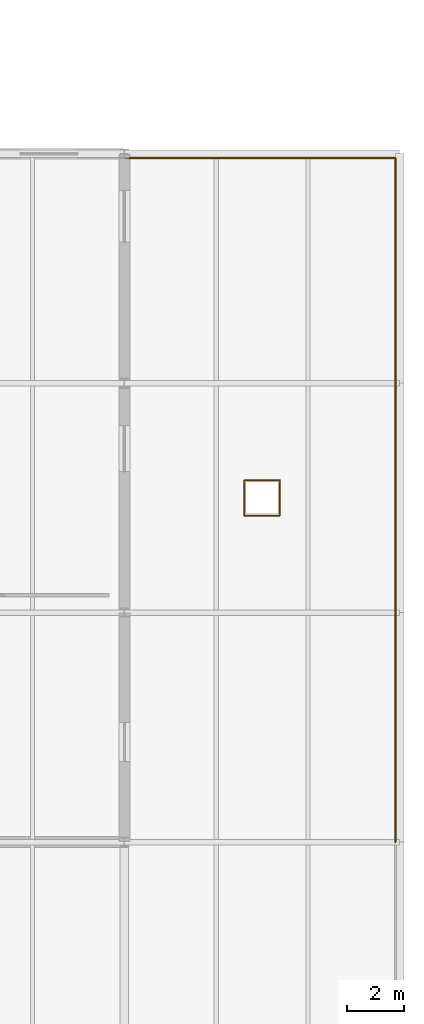
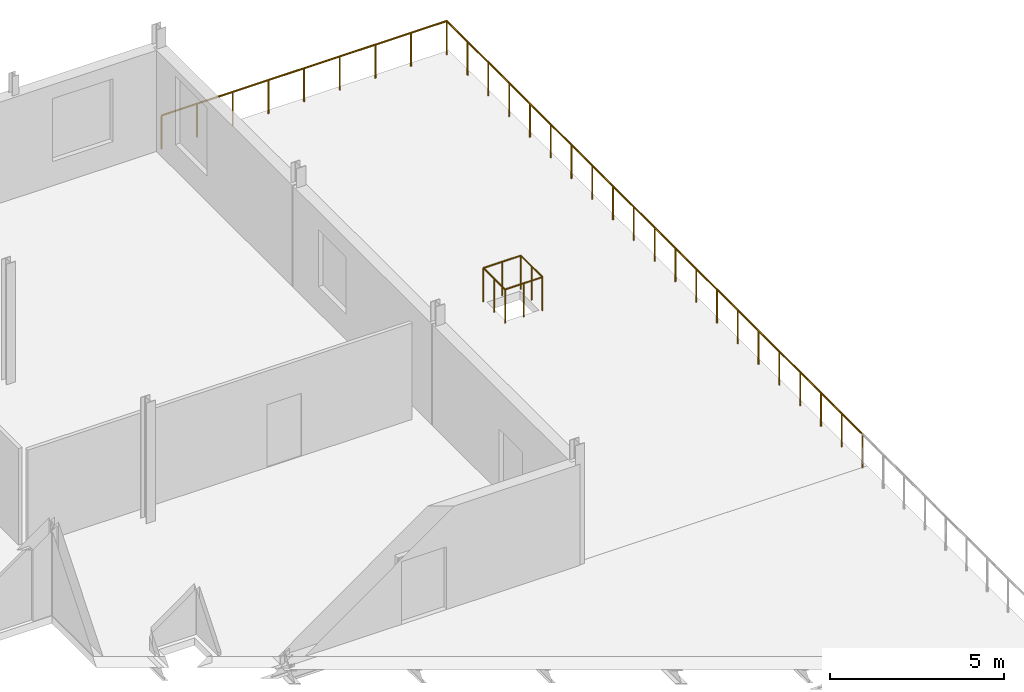
# One storey, part 73 of 73: 3 railings.
"""IFC4 building model written with IfcOpenShell, lengths in metres."""

from ifc_helpers import new_model, si_unit, direction, frame, origin, origin_2d, place, context, subcontext, project, spatial, circle, extrude, material, type_object, element, save


model = new_model("IFC4")

# Units and contexts
model_context = context("Model", 3, precision=1e-05, world=origin(), true_north=direction((0.0, 1.0)))
body_context = subcontext(model_context, "Body", "Model", "MODEL_VIEW")
ifc_project = project(units=[si_unit("LENGTHUNIT", "METRE"), si_unit("AREAUNIT", "SQUARE_METRE"), si_unit("VOLUMEUNIT", "CUBIC_METRE"), si_unit("PLANEANGLEUNIT", "RADIAN"), si_unit("MASSUNIT", "GRAM", prefix="KILO")], contexts=[model_context])

# Site, building, storey
site_placement = place(None, origin())
site = spatial("IfcSite", under=ifc_project, at=site_placement, CompositionType="ELEMENT")
building_placement = place(site_placement, origin())
building = spatial("IfcBuilding", under=site, at=building_placement, Name="Alderhovde Museum", CompositionType="ELEMENT")
storey_placement = place(building_placement, frame((0.0, 0.0, 12.89990234375)))
storey = spatial("IfcBuildingStorey", under=building, at=storey_placement, Name="L03", CompositionType="ELEMENT", Elevation=12.89990234375)

# Railings
ifc_material = material(Name="Bronze-Anodised Steel and Honed Limestone Balustrade", Category="masonry")
railing_type = type_object("IfcRailingType", Name="RL-BALUSTRADE-1200", PredefinedType="BALUSTRADE", material=ifc_material)
railing_1_placement = place(storey_placement, frame((163.050048828125, 72.0, 0.0)))
element("IfcRailing", 1, at=railing_1_placement, inside=storey, type_object=railing_type, Name="L03 Terrace Balustrade BAL-L03-EAST-PERIM", PredefinedType="BALUSTRADE", context=body_context, shape_type="SweptSolid", body=[
    extrude(circle(Radius=0.030029296875, at=origin_2d()), frame((0.0, 0.0, 1.169921875), z_axis=(0.0, 1.0, 0.0), x_axis=(-1.0, 0.0, 0.0)), (0.0, 0.0, 1.0), 23.85009765625),
    extrude(circle(Radius=0.030029296875, at=origin_2d()), frame((0.0, 23.85009765625, 1.169921875), z_axis=(-1.0, 0.0, 0.0), x_axis=(0.0, -1.0, 0.0)), (0.0, 0.0, 1.0), 9.449951171875),
    extrude(circle(Radius=0.02490234375, at=origin_2d()), origin(), (0.0, 0.0, 1.0), 1.139892578125),
    extrude(circle(Radius=0.02490234375, at=origin_2d()), frame((0.0, 1.1923828125, 0.0)), (0.0, 0.0, 1.0), 1.139892578125),
    extrude(circle(Radius=0.02490234375, at=origin_2d()), frame((0.0, 2.385009765625, 0.0)), (0.0, 0.0, 1.0), 1.139892578125),
    extrude(circle(Radius=0.02490234375, at=origin_2d()), frame((0.0, 3.57763671875, 0.0)), (0.0, 0.0, 1.0), 1.139892578125),
    extrude(circle(Radius=0.02490234375, at=origin_2d()), frame((0.0, 4.77001953125, 0.0)), (0.0, 0.0, 1.0), 1.139892578125),
    extrude(circle(Radius=0.02490234375, at=origin_2d()), frame((0.0, 5.96240234375, 0.0)), (0.0, 0.0, 1.0), 1.139892578125),
    extrude(circle(Radius=0.02490234375, at=origin_2d()), frame((0.0, 7.155029296875, 0.0)), (0.0, 0.0, 1.0), 1.139892578125),
    extrude(circle(Radius=0.02490234375, at=origin_2d()), frame((0.0, 8.34765625, 0.0)), (0.0, 0.0, 1.0), 1.139892578125),
    extrude(circle(Radius=0.02490234375, at=origin_2d()), frame((0.0, 9.5400390625, 0.0)), (0.0, 0.0, 1.0), 1.139892578125),
    extrude(circle(Radius=0.02490234375, at=origin_2d()), frame((0.0, 10.732421875, 0.0)), (0.0, 0.0, 1.0), 1.139892578125),
    extrude(circle(Radius=0.02490234375, at=origin_2d()), frame((0.0, 11.925048828125, 0.0)), (0.0, 0.0, 1.0), 1.139892578125),
    extrude(circle(Radius=0.02490234375, at=origin_2d()), frame((0.0, 13.11767578125, 0.0)), (0.0, 0.0, 1.0), 1.139892578125),
    extrude(circle(Radius=0.02490234375, at=origin_2d()), frame((0.0, 14.31005859375, 0.0)), (0.0, 0.0, 1.0), 1.139892578125),
    extrude(circle(Radius=0.02490234375, at=origin_2d()), frame((0.0, 15.50244140625, 0.0)), (0.0, 0.0, 1.0), 1.139892578125),
    extrude(circle(Radius=0.02490234375, at=origin_2d()), frame((0.0, 16.695068359375, 0.0)), (0.0, 0.0, 1.0), 1.139892578125),
    extrude(circle(Radius=0.02490234375, at=origin_2d()), frame((0.0, 17.8876953125, 0.0)), (0.0, 0.0, 1.0), 1.139892578125),
    extrude(circle(Radius=0.02490234375, at=origin_2d()), frame((0.0, 19.080078125, 0.0)), (0.0, 0.0, 1.0), 1.139892578125),
    extrude(circle(Radius=0.02490234375, at=origin_2d()), frame((0.0, 20.2724609375, 0.0)), (0.0, 0.0, 1.0), 1.139892578125),
    extrude(circle(Radius=0.02490234375, at=origin_2d()), frame((0.0, 21.465087890625, 0.0)), (0.0, 0.0, 1.0), 1.139892578125),
    extrude(circle(Radius=0.02490234375, at=origin_2d()), frame((0.0, 22.65771484375, 0.0)), (0.0, 0.0, 1.0), 1.139892578125),
    extrude(circle(Radius=0.02490234375, at=origin_2d()), frame((0.0, 23.85009765625, 0.0)), (0.0, 0.0, 1.0), 1.139892578125),
    extrude(circle(Radius=0.02490234375, at=origin_2d()), frame((-1.18115234375, 23.85009765625, 0.0)), (0.0, 0.0, 1.0), 1.139892578125),
    extrude(circle(Radius=0.02490234375, at=origin_2d()), frame((-2.362548828125, 23.85009765625, 0.0)), (0.0, 0.0, 1.0), 1.139892578125),
    extrude(circle(Radius=0.02490234375, at=origin_2d()), frame((-3.543701171875, 23.85009765625, 0.0)), (0.0, 0.0, 1.0), 1.139892578125),
    extrude(circle(Radius=0.02490234375, at=origin_2d()), frame((-4.72509765625, 23.85009765625, 0.0)), (0.0, 0.0, 1.0), 1.139892578125),
    extrude(circle(Radius=0.02490234375, at=origin_2d()), frame((-5.90625, 23.85009765625, 0.0)), (0.0, 0.0, 1.0), 1.139892578125),
    extrude(circle(Radius=0.02490234375, at=origin_2d()), frame((-7.08740234375, 23.85009765625, 0.0)), (0.0, 0.0, 1.0), 1.139892578125),
    extrude(circle(Radius=0.02490234375, at=origin_2d()), frame((-8.268798828125, 23.85009765625, 0.0)), (0.0, 0.0, 1.0), 1.139892578125),
    extrude(circle(Radius=0.02490234375, at=origin_2d()), frame((-9.449951171875, 23.85009765625, 0.0)), (0.0, 0.0, 1.0), 1.139892578125),
])
railing_2_placement = place(storey_placement, frame((157.780029296875, 83.3798828125, 0.0)))
element("IfcRailing", 2, at=railing_2_placement, inside=storey, type_object=railing_type, Name="L03 Terrace Planter Guard SLAB-TERR-L03-EAST A", PredefinedType="BALUSTRADE", context=body_context, shape_type="SweptSolid", body=[
    extrude(circle(Radius=0.02392578125, at=origin_2d()), frame((0.0, 0.0, 1.17578125), z_axis=(1.0, 0.0, 0.0), x_axis=(0.0, 1.0, 0.0)), (0.0, 0.0, 1.0), 1.239990234375),
    extrude(circle(Radius=0.02392578125, at=origin_2d()), frame((1.239990234375, 0.0, 1.17578125), z_axis=(0.0, 1.0, 0.0), x_axis=(-1.0, 0.0, 0.0)), (0.0, 0.0, 1.0), 1.240234375),
    extrude(circle(Radius=0.02099609375, at=origin_2d()), origin(), (0.0, 0.0, 1.0), 1.15185546875),
    extrude(circle(Radius=0.02099609375, at=origin_2d()), frame((0.6201171875, 0.0, 0.0)), (0.0, 0.0, 1.0), 1.15185546875),
    extrude(circle(Radius=0.02099609375, at=origin_2d()), frame((1.239990234375, 0.0, 0.0)), (0.0, 0.0, 1.0), 1.15185546875),
    extrude(circle(Radius=0.02099609375, at=origin_2d()), frame((1.239990234375, 0.6201171875, 0.0)), (0.0, 0.0, 1.0), 1.15185546875),
    extrude(circle(Radius=0.02099609375, at=origin_2d()), frame((1.239990234375, 1.240234375, 0.0)), (0.0, 0.0, 1.0), 1.15185546875),
])
railing_3_placement = place(storey_placement, frame((159.02001953125, 84.6201171875, 0.0)))
element("IfcRailing", 3, at=railing_3_placement, inside=storey, type_object=railing_type, Name="L03 Terrace Planter Guard SLAB-TERR-L03-EAST B", PredefinedType="BALUSTRADE", context=body_context, shape_type="SweptSolid", body=[
    extrude(circle(Radius=0.02392578125, at=origin_2d()), frame((0.0, 0.0, 1.17578125), z_axis=(-1.0, 0.0, 0.0), x_axis=(0.0, -1.0, 0.0)), (0.0, 0.0, 1.0), 1.239990234375),
    extrude(circle(Radius=0.02392578125, at=origin_2d()), frame((-1.239990234375, 0.0, 1.17578125), z_axis=(0.0, -1.0, 0.0), x_axis=(1.0, 0.0, 0.0)), (0.0, 0.0, 1.0), 1.240234375),
    extrude(circle(Radius=0.02099609375, at=origin_2d()), origin(), (0.0, 0.0, 1.0), 1.15185546875),
    extrude(circle(Radius=0.02099609375, at=origin_2d()), frame((-0.6201171875, 0.0, 0.0)), (0.0, 0.0, 1.0), 1.15185546875),
    extrude(circle(Radius=0.02099609375, at=origin_2d()), frame((-1.239990234375, 0.0, 0.0)), (0.0, 0.0, 1.0), 1.15185546875),
    extrude(circle(Radius=0.02099609375, at=origin_2d()), frame((-1.239990234375, -0.6201171875, 0.0)), (0.0, 0.0, 1.0), 1.15185546875),
    extrude(circle(Radius=0.02099609375, at=origin_2d()), frame((-1.239990234375, -1.240234375, 0.0)), (0.0, 0.0, 1.0), 1.15185546875),
])

save(model, "model.ifc")
